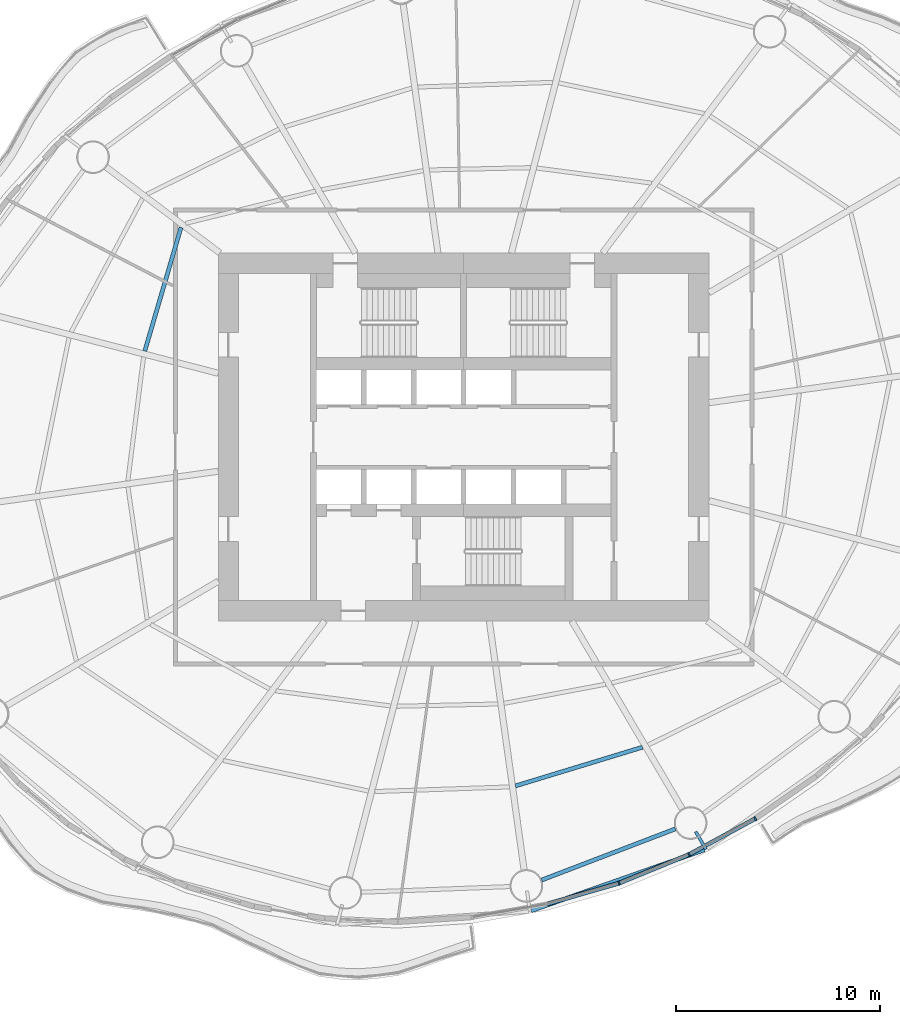
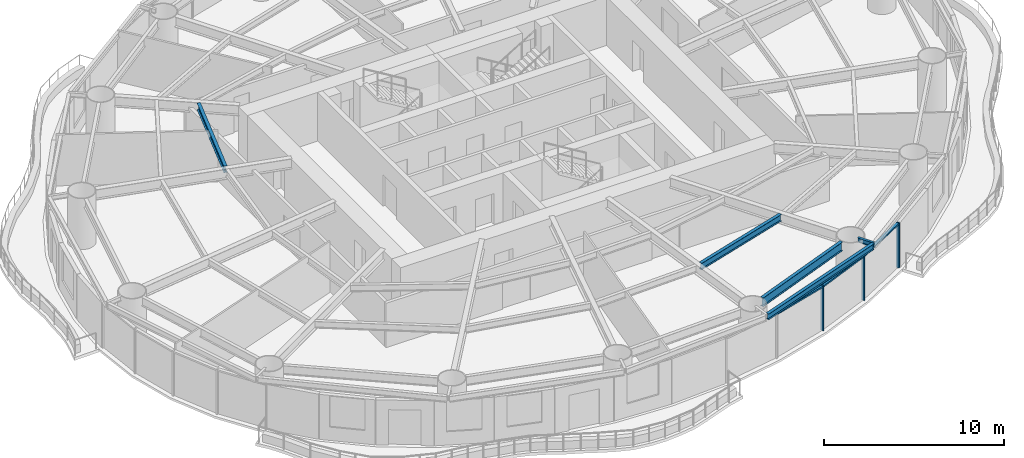
# One storey, part 3 of 16: 6 members, 5 beams, 3 elements without a shape of their own.
"""IFC4 building model written with IfcOpenShell, lengths in metres."""

import ifcopenshell
import ifcopenshell.guid

model = None  # the IFC model being written
_history = None  # IfcOwnerHistory: only IFC2X3 demands one
_inside = {}  # id of a spatial element -> (the spatial element, [elements in it])
_under = {}  # id of a project, library or spatial element -> (it, [spatial elements below it])
_declared = {}  # id of a project -> (the project, [libraries it declares])
_typed = {}  # id of a type object -> (the type object, [elements of that type])
_made_of = {}  # id of a material, layer set ... -> (it, [elements and type objects made of it])


def new_model(schema):
    """Start an empty IFC model of exactly this schema.

    Asked for "IFC4X3", IfcOpenShell would pick the latest addendum, in which some entities
    have other attributes; the version numbers below select the first issue.
    IFC2X3 requires an IfcOwnerHistory on every rooted entity: one is made here for all.
    """
    global model, _history
    if schema == "IFC4X3":
        model = ifcopenshell.file(schema_version=(4, 3, 0, 0))
    else:
        model = ifcopenshell.file(schema=schema)
    _inside.clear()
    _under.clear()
    _declared.clear()
    _typed.clear()
    _made_of.clear()
    _history = None
    if model.schema == "IFC2X3":
        org = make("IfcOrganization", Name="unknown")
        user = make(
            "IfcPersonAndOrganization",
            ThePerson=make("IfcPerson", FamilyName="unknown"),
            TheOrganization=org,
        )
        app = make(
            "IfcApplication",
            ApplicationDeveloper=org,
            Version="unknown",
            ApplicationFullName="unknown",
            ApplicationIdentifier="unknown",
        )
        _history = make(
            "IfcOwnerHistory",
            OwningUser=user,
            OwningApplication=app,
            ChangeAction="ADDED",
            CreationDate=0,
        )
    return model


def make(cls, **values):
    """One entity of the class cls with the attributes given. An attribute that is None is left unset."""
    return model.create_entity(
        cls, **{name: value for name, value in values.items() if value is not None}
    )


def rooted(cls, **values):
    """An entity with a GlobalId (a new one), such as an element, a storey or a relation."""
    return make(cls, GlobalId=ifcopenshell.guid.new(), OwnerHistory=_history, **values)


def si_unit(unit_type, name, prefix=None):
    """IfcSIUnit, for example si_unit("LENGTHUNIT", "METRE", prefix="MILLI")."""
    return make("IfcSIUnit", UnitType=unit_type, Prefix=prefix, Name=name)


def assignment(units):
    """IfcUnitAssignment: the units of a project."""
    return None if units is None else make("IfcUnitAssignment", Units=units)


def point(xyz):
    """IfcCartesianPoint."""
    return None if xyz is None else make("IfcCartesianPoint", Coordinates=xyz)


def direction(xyz):
    """IfcDirection."""
    return None if xyz is None else make("IfcDirection", DirectionRatios=xyz)


def frame(location, z_axis=None, x_axis=None):
    """IfcAxis2Placement3D, a coordinate frame: its origin and axes. An axis left out is left unset."""
    return make(
        "IfcAxis2Placement3D",
        Location=point(location),
        Axis=direction(z_axis),
        RefDirection=direction(x_axis),
    )


def frame_2d(location, x_axis=None):
    """IfcAxis2Placement2D, a coordinate frame in the plane: its origin and x axis."""
    return make(
        "IfcAxis2Placement2D", Location=point(location), RefDirection=direction(x_axis)
    )


def origin():
    """The frame at (0, 0, 0) with its axes left unset."""
    return frame((0.0, 0.0, 0.0))


def origin_2d():
    """The frame at (0, 0) in the plane with its x axis left unset."""
    return frame_2d((0.0, 0.0))


def place(relative_to, where):
    """IfcLocalPlacement: puts the frame where relative to a parent placement (None: the world)."""
    return make(
        "IfcLocalPlacement", PlacementRelTo=relative_to, RelativePlacement=where
    )


def context(
    kind, dimensions, precision=None, world=None, true_north=None, identifier=None
):
    """IfcGeometricRepresentationContext, for example the 3D "Model" context."""
    return make(
        "IfcGeometricRepresentationContext",
        ContextIdentifier=identifier,
        ContextType=kind,
        CoordinateSpaceDimension=dimensions,
        Precision=precision,
        WorldCoordinateSystem=world,
        TrueNorth=true_north,
    )


def subcontext(parent, identifier, kind, view, scale=None):
    """IfcGeometricRepresentationSubContext, for example "Body" below "Model"."""
    return make(
        "IfcGeometricRepresentationSubContext",
        ContextIdentifier=identifier,
        ContextType=kind,
        ParentContext=parent,
        TargetScale=scale,
        TargetView=view,
    )


def project(units=None, contexts=None):
    """IfcProject with its units and contexts."""
    return rooted(
        "IfcProject",
        Name="project",
        RepresentationContexts=contexts,
        UnitsInContext=assignment(units),
    )


def spatial(cls, under=None, at=None, **own):
    """A site, building, storey or space (cls), placed at a placement, below another one or the project."""
    s = rooted(cls, ObjectPlacement=at, **own)
    if under is not None:
        _under.setdefault(under.id(), (under, []))[1].append(s)
    return s


def profile(cls, at=None, kind="AREA", **sizes):
    """A parametric profile (cls). Its sizes go by their IFC names, for example OverallWidth=200.0."""
    return make(cls, ProfileType=kind, Position=at, **sizes)


def rectangle(**sizes):
    """IfcRectangleProfileDef."""
    return profile("IfcRectangleProfileDef", **sizes)


def i_section(**sizes):
    """IfcIShapeProfileDef."""
    return profile("IfcIShapeProfileDef", **sizes)


def extrude(swept, where, along, depth):
    """IfcExtrudedAreaSolid: the profile swept, set in the frame where, extruded along a direction by depth."""
    return make(
        "IfcExtrudedAreaSolid",
        SweptArea=swept,
        Position=where,
        ExtrudedDirection=direction(along),
        Depth=depth,
    )


def shape(context_of_items, identifier, shape_type, items):
    """IfcShapeRepresentation: the items that make up one representation, for example the "Body"."""
    return make(
        "IfcShapeRepresentation",
        ContextOfItems=context_of_items,
        RepresentationIdentifier=identifier,
        RepresentationType=shape_type,
        Items=items,
    )


def material(Name=None, Category=None):
    """IfcMaterial."""
    return make("IfcMaterial", Name=Name, Category=Category)


def material_profile(
    of_material, cross_section, Name=None, Category=None, Priority=None
):
    """IfcMaterialProfile: a cross section and its material."""
    return make(
        "IfcMaterialProfile",
        Name=Name,
        Material=of_material,
        Profile=cross_section,
        Priority=Priority,
        Category=Category,
    )


def profile_set(profiles, Name=None, composite=None):
    """IfcMaterialProfileSet."""
    return make(
        "IfcMaterialProfileSet",
        Name=Name,
        MaterialProfiles=profiles,
        CompositeProfile=composite,
    )


def made_of(thing, what):
    """Note that an element or type object is made of a material, layer set ...; save() writes the relation."""
    if what is not None:
        _made_of.setdefault(what.id(), (what, []))[1].append(thing)
    return thing


def type_object(cls, material=None, **own):
    """A type object (cls), such as IfcWallType, which elements share."""
    return made_of(rooted(cls, **own), material)


def element(
    cls,
    number,
    at=None,
    inside=None,
    cuts=None,
    type_object=None,
    material=None,
    context=None,
    identifier="Body",
    shape_type=None,
    held_by="IfcProductDefinitionShape",
    body=None,
    shapes=None,
    **own,
):
    """One element of the class cls, such as IfcWall. Its Tag is "e" and its number.

    at: its placement. inside: the storey or other place that contains it. cuts: it is an
    opening in that element (IfcRelVoidsElement). A single representation is given by context,
    identifier, shape_type and body (its items); several are given by shapes. held_by: the class
    of the entity that holds the representations. save() writes the other relations.
    """
    e = rooted(cls, Tag="e%d" % number, ObjectPlacement=at, **own)
    if body is not None:
        shapes = [shape(context, identifier, shape_type, body)]
    if shapes is not None:
        e.Representation = make(held_by, Representations=shapes)
    if inside is not None:
        _inside.setdefault(inside.id(), (inside, []))[1].append(e)
    if cuts is not None:
        rooted(
            "IfcRelVoidsElement", RelatingBuildingElement=cuts, RelatedOpeningElement=e
        )
    if type_object is not None:
        _typed.setdefault(type_object.id(), (type_object, []))[1].append(e)
    return made_of(e, material)


def aggregate(whole, parts):
    """IfcRelAggregates: a whole, such as a stair, and the parts it consists of."""
    return rooted("IfcRelAggregates", RelatingObject=whole, RelatedObjects=parts)


def save(model, path):
    """Write the relations noted so far, then the file.

    IfcRelAggregates (storeys below a building ...), IfcRelContainedInSpatialStructure (elements
    in a storey), IfcRelDefinesByType, IfcRelAssociatesMaterial and IfcRelDeclares: one each for
    every whole, place, type object, material and project.
    """
    for whole, parts in _under.values():
        aggregate(whole, parts)
    for where, things in _inside.values():
        rooted(
            "IfcRelContainedInSpatialStructure",
            RelatedElements=things,
            RelatingStructure=where,
        )
    for kind, things in _typed.values():
        rooted("IfcRelDefinesByType", RelatedObjects=things, RelatingType=kind)
    for what, things in _made_of.values():
        rooted("IfcRelAssociatesMaterial", RelatedObjects=things, RelatingMaterial=what)
    for by, libraries in _declared.values():
        rooted("IfcRelDeclares", RelatingContext=by, RelatedDefinitions=libraries)
    model.write(path)


model = new_model("IFC4")

# Units and contexts
model_context = context("Model", 3, precision=1e-05, world=origin(), true_north=direction((0.0, 1.0)))
body_context = subcontext(model_context, "Body", "Model", "MODEL_VIEW")
ifc_project = project(units=[si_unit("LENGTHUNIT", "METRE"), si_unit("AREAUNIT", "SQUARE_METRE"), si_unit("VOLUMEUNIT", "CUBIC_METRE"), si_unit("PLANEANGLEUNIT", "RADIAN"), si_unit("MASSUNIT", "GRAM", prefix="KILO")], contexts=[model_context])

# Site, building, storey
site_placement = place(None, origin())
site = spatial("IfcSite", under=ifc_project, at=site_placement, CompositionType="ELEMENT")
building_placement = place(site_placement, origin())
building = spatial("IfcBuilding", under=site, at=building_placement, Name="Vermilion Reach Broadcast Tower", CompositionType="ELEMENT")
storey_placement = place(building_placement, frame((0.0, 0.0, 110.199951171875)))
storey = spatial("IfcBuildingStorey", under=building, at=storey_placement, Name="L25", CompositionType="ELEMENT", Elevation=110.199951171875)

# Beams
ifc_material_1 = material(Name="Steel S355J2", Category="steel")
ifc_material_profile_1 = material_profile(ifc_material_1, i_section(OverallWidth=0.199951171875, OverallDepth=0.39990234375, WebThickness=0.008056640625, FlangeThickness=0.012939453125, at=origin_2d()), Name="S355J2 HN 400x200x8x13")
ifc_profile_set_1 = profile_set([ifc_material_profile_1], Name="Steel S355J2")
beam_type_1 = type_object("IfcBeamType", Name="EB2 HN 400x200x8x13", PredefinedType="BEAM", material=ifc_profile_set_1)
beam_1_placement = place(storey_placement, frame((-2.689208984375, -23.165283203125, 3.25), z_axis=(0.943404272903, 0.331644957551, 0.0), x_axis=(-0.331644957551, 0.943404272903, 0.0)))
element("IfcBeam", 1, at=beam_1_placement, inside=storey, type_object=beam_type_1, Name="Edge beam EB2-12", PredefinedType="BEAM", context=body_context, shape_type="SweptSolid", body=[
    extrude(i_section(OverallWidth=0.199951171875, OverallDepth=0.39990234375, WebThickness=0.008056640625, FlangeThickness=0.012939453125, at=origin_2d()), origin(), (0.0, 0.0, 1.0), 8.97802734375),
])
ifc_material_2 = material(Name="Steel S355J2", Category="steel")
ifc_material_profile_2 = material_profile(ifc_material_2, i_section(OverallWidth=0.14990234375, OverallDepth=0.300048828125, WebThickness=0.006591796875, FlangeThickness=0.009033203125, at=origin_2d()), Name="S355J2 HN 300x150x6.5x9")
ifc_profile_set_2 = profile_set([ifc_material_profile_2], Name="Steel S355J2")
beam_type_2 = type_object("IfcBeamType", Name="GS2 HN 300x150x6.5x9", PredefinedType="BEAM", material=ifc_profile_set_2)
beam_2_placement = place(storey_placement, frame((5.34619140625, -19.30029296875, 3.300048828125), z_axis=(0.506646610102, -0.862153821816, 0.0), x_axis=(0.862153821816, 0.506646610102, 0.0)))
element("IfcBeam", 2, at=beam_2_placement, inside=storey, type_object=beam_type_2, Name="Cantilever stub GS2-13", PredefinedType="BEAM", context=body_context, shape_type="SweptSolid", body=[
    extrude(i_section(OverallWidth=0.14990234375, OverallDepth=0.300048828125, WebThickness=0.006591796875, FlangeThickness=0.009033203125, at=origin_2d()), origin(), (0.0, 0.0, 1.0), 1.0),
])
ifc_material_3 = material(Name="Steel S355J2", Category="steel")
ifc_material_profile_3 = material_profile(ifc_material_3, i_section(OverallWidth=0.199951171875, OverallDepth=0.60009765625, WebThickness=0.010986328125, FlangeThickness=0.01708984375, at=origin_2d()), Name="S355J2 HN 600x200x11x17")
ifc_profile_set_3 = profile_set([ifc_material_profile_3], Name="Steel S355J2")
beam_type_3 = type_object("IfcBeamType", Name="RB2 HN 600x200x11x17", PredefinedType="BEAM", material=ifc_profile_set_3)
beam_3_placement = place(storey_placement, frame((-2.186767578125, -21.669677734375, 3.150146484375), z_axis=(0.933939237212, 0.357431813353, 0.0), x_axis=(-0.357431813353, 0.933939237212, 0.0)))
element("IfcBeam", 3, at=beam_3_placement, inside=storey, type_object=beam_type_3, Name="Ring beam RB2-12", PredefinedType="BEAM", context=body_context, shape_type="SweptSolid", body=[
    extrude(i_section(OverallWidth=0.199951171875, OverallDepth=0.60009765625, WebThickness=0.010986328125, FlangeThickness=0.01708984375, at=origin_2d()), origin(), (0.0, 0.0, 1.0), 7.001953125),
])
ifc_material_4 = material(Name="Steel S355J2", Category="steel")
ifc_material_profile_4 = material_profile(ifc_material_4, i_section(OverallWidth=0.199951171875, OverallDepth=0.449951171875, WebThickness=0.009033203125, FlangeThickness=0.013916015625, at=origin_2d()), Name="S355J2 HN 450x200x9x14")
ifc_profile_set_4 = profile_set([ifc_material_profile_4], Name="Steel S355J2")
beam_type_4 = type_object("IfcBeamType", Name="SB2 HN 450x200x9x14", PredefinedType="BEAM", material=ifc_profile_set_4)
beam_4_placement = place(storey_placement, frame((-19.821533203125, 10.246337890625, 3.22509765625), z_axis=(-0.281175657723, -0.959656318431, 0.0), x_axis=(0.959656318431, -0.281175657723, 0.0)))
element("IfcBeam", 4, at=beam_4_placement, inside=storey, type_object=beam_type_4, Name="Secondary beam SB2-06-1", PredefinedType="BEAM", context=body_context, shape_type="SweptSolid", body=[
    extrude(i_section(OverallWidth=0.199951171875, OverallDepth=0.449951171875, WebThickness=0.009033203125, FlangeThickness=0.013916015625, at=origin_2d()), origin(), (0.0, 0.0, 1.0), 6.298583984375),
])
beam_5_placement = place(storey_placement, frame((-3.46533203125, -17.064697265625, 3.22509765625), z_axis=(0.956596430605, 0.291415972374, 0.0), x_axis=(-0.291415972374, 0.956596430605, 0.0)))
element("IfcBeam", 5, at=beam_5_placement, inside=storey, type_object=beam_type_4, Name="Secondary beam SB2-12-2", PredefinedType="BEAM", context=body_context, shape_type="SweptSolid", body=[
    extrude(i_section(OverallWidth=0.199951171875, OverallDepth=0.449951171875, WebThickness=0.009033203125, FlangeThickness=0.013916015625, at=origin_2d()), origin(), (0.0, 0.0, 1.0), 6.49267578125),
])

# Curtain wall, member
ifc_material_5 = material(Name="Low-e laminated clear glass in aluminium frame", Category="aluminium")
curtain_wall_type = type_object("IfcCurtainWallType", Name="Slot curtain wall", PredefinedType="NOTDEFINED", material=ifc_material_5)
placement = place(storey_placement, origin())
curtain_wall_1 = element("IfcCurtainWall", 6, at=placement, inside=storey, type_object=curtain_wall_type, Name="Slot curtain wall L25 36", PredefinedType="NOTDEFINED")
ifc_material_6 = material(Name="Anodised aluminium", Category="aluminium")
ifc_material_profile_5 = material_profile(ifc_material_6, rectangle(XDim=0.199951171875, YDim=0.080078125, at=origin_2d()), Name="Slot mullion 80 x 200")
ifc_profile_set_5 = profile_set([ifc_material_profile_5], Name="Anodised aluminium")
member_type_1 = type_object("IfcMemberType", Name="Slot mullion 80 x 200", PredefinedType="MULLION", material=ifc_profile_set_5)
member_1_placement = place(storey_placement, frame((1.59912109375, -21.821533203125, 0.0), z_axis=(0.0, 0.0, 1.0), x_axis=(-0.328866642832, 0.944376371598, 0.0)))
member_1 = element("IfcMember", 7, at=member_1_placement, type_object=member_type_1, Name="Slot mullion L25 36", PredefinedType="MULLION", context=body_context, shape_type="SweptSolid", body=[
    extrude(rectangle(XDim=0.199951171875, YDim=0.080078125, at=origin_2d()), origin(), (0.0, 0.0, 1.0), 3.050048828125),
])

# Curtain wall, members
curtain_wall_2 = element("IfcCurtainWall", 8, at=placement, inside=storey, type_object=curtain_wall_type, Name="Slot curtain wall L25 37", PredefinedType="NOTDEFINED")
member_2_placement = place(storey_placement, frame((5.0244140625, -20.41845703125, 0.0), z_axis=(0.0, 0.0, 1.0), x_axis=(-0.428397948063, 0.903590171536, 0.0)))
member_2 = element("IfcMember", 9, at=member_2_placement, type_object=member_type_1, Name="Slot mullion L25 37", PredefinedType="MULLION", context=body_context, shape_type="SweptSolid", body=[
    extrude(rectangle(XDim=0.199951171875, YDim=0.080078125, at=origin_2d()), origin(), (0.0, 0.0, 1.0), 3.050048828125),
])
member_3_placement = place(storey_placement, frame((8.260009765625, -18.664794921875, 0.0), z_axis=(0.0, 0.0, 1.0), x_axis=(-0.524000831653, 0.851717751621, 0.0)))
member_3 = element("IfcMember", 10, at=member_3_placement, type_object=member_type_1, Name="Slot mullion L25 38", PredefinedType="MULLION", context=body_context, shape_type="SweptSolid", body=[
    extrude(rectangle(XDim=0.199951171875, YDim=0.080078125, at=origin_2d()), origin(), (0.0, 0.0, 1.0), 3.050048828125),
])

# Curtain wall, member
curtain_wall_3 = element("IfcCurtainWall", 11, at=placement, inside=storey, type_object=curtain_wall_type, Name="Slot curtain wall L25 35", PredefinedType="NOTDEFINED")
ifc_material_7 = material(Name="Anodised aluminium", Category="aluminium")
ifc_material_profile_6 = material_profile(ifc_material_7, rectangle(XDim=0.199951171875, YDim=0.10009765625, at=origin_2d()), Name="Slot transom 200 x 100")
ifc_profile_set_6 = profile_set([ifc_material_profile_6], Name="Anodised aluminium")
member_type_2 = type_object("IfcMemberType", Name="Slot transom 200 x 100", PredefinedType="USERDEFINED", material=ifc_profile_set_6)
member_4_placement = place(storey_placement, frame((-1.91845703125, -22.83837890625, 3.0), z_axis=(0.96065424343, 0.277747051434, 0.0), x_axis=(-0.277747051434, 0.96065424343, 0.0)))
member_4 = element("IfcMember", 12, at=member_4_placement, type_object=member_type_2, Name="Slot transom L25 35.1", ObjectType="TRANSOM", PredefinedType="USERDEFINED", context=body_context, shape_type="SweptSolid", body=[
    extrude(rectangle(XDim=0.199951171875, YDim=0.10009765625, at=origin_2d()), origin(), (0.0, 0.0, 1.0), 3.62158203125),
])
aggregate(curtain_wall_3, [member_4])

# Member
member_5_placement = place(storey_placement, frame((1.635986328125, -21.806396484375, 3.0), z_axis=(0.925371823356, 0.37906066604, 0.0), x_axis=(-0.37906066604, 0.925371823356, 0.0)))
member_5 = element("IfcMember", 13, at=member_5_placement, type_object=member_type_2, Name="Slot transom L25 36.1", ObjectType="TRANSOM", PredefinedType="USERDEFINED", context=body_context, shape_type="SweptSolid", body=[
    extrude(rectangle(XDim=0.199951171875, YDim=0.10009765625, at=origin_2d()), origin(), (0.0, 0.0, 1.0), 3.62158203125),
])

aggregate(curtain_wall_1, [member_1, member_5])

member_6_placement = place(storey_placement, frame((5.0595703125, -20.3994140625, 3.0), z_axis=(0.879170059929, 0.476508138151, 0.0), x_axis=(-0.476508138151, 0.879170059929, 0.0)))
member_6 = element("IfcMember", 14, at=member_6_placement, type_object=member_type_2, Name="Slot transom L25 37.1", ObjectType="TRANSOM", PredefinedType="USERDEFINED", context=body_context, shape_type="SweptSolid", body=[
    extrude(rectangle(XDim=0.199951171875, YDim=0.10009765625, at=origin_2d()), origin(), (0.0, 0.0, 1.0), 3.600341796875),
])

aggregate(curtain_wall_2, [member_2, member_3, member_6])

save(model, "model.ifc")
